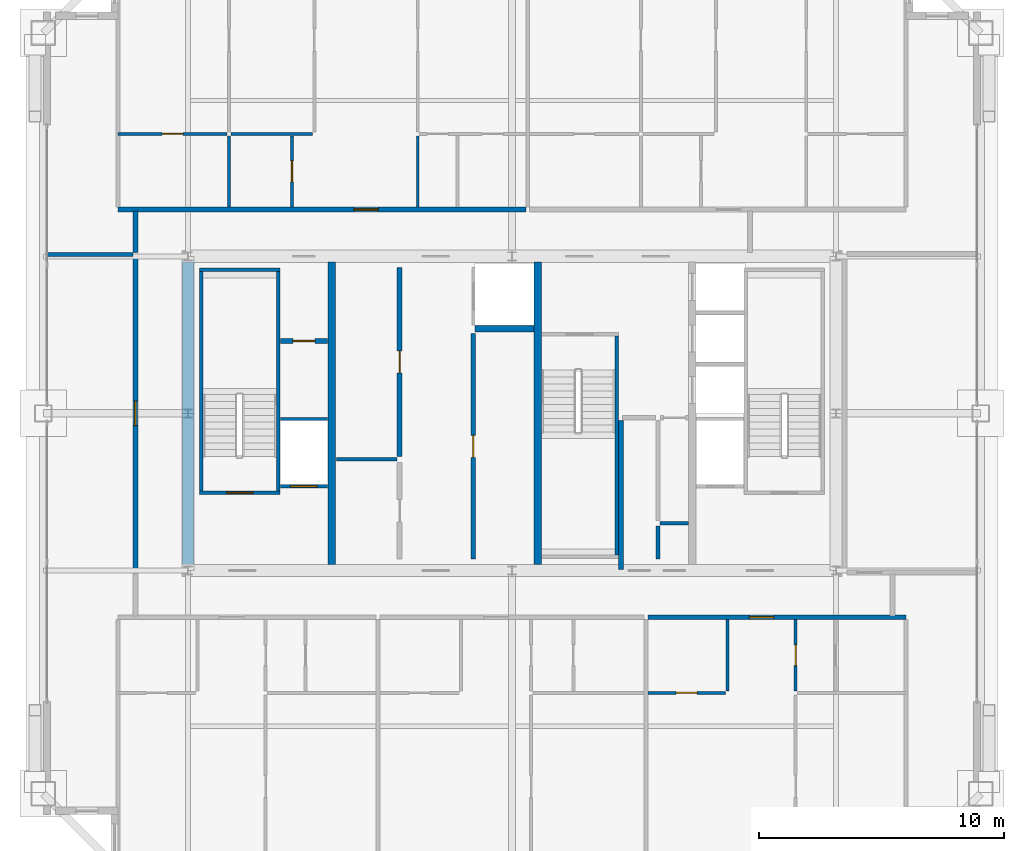
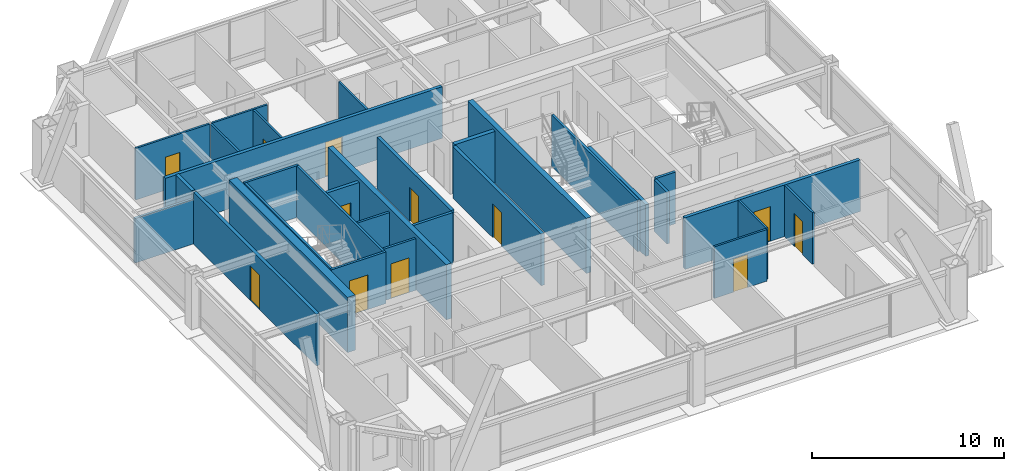
# One storey, part 31 of 35: 31 walls, 12 doors, 12 openings.
"""IFC4 building model written with IfcOpenShell, lengths in metres."""

import ifcopenshell
import ifcopenshell.guid

model = None  # the IFC model being written
_history = None  # IfcOwnerHistory: only IFC2X3 demands one
_inside = {}  # id of a spatial element -> (the spatial element, [elements in it])
_under = {}  # id of a project, library or spatial element -> (it, [spatial elements below it])
_declared = {}  # id of a project -> (the project, [libraries it declares])
_typed = {}  # id of a type object -> (the type object, [elements of that type])
_made_of = {}  # id of a material, layer set ... -> (it, [elements and type objects made of it])


def new_model(schema):
    """Start an empty IFC model of exactly this schema.

    Asked for "IFC4X3", IfcOpenShell would pick the latest addendum, in which some entities
    have other attributes; the version numbers below select the first issue.
    IFC2X3 requires an IfcOwnerHistory on every rooted entity: one is made here for all.
    """
    global model, _history
    if schema == "IFC4X3":
        model = ifcopenshell.file(schema_version=(4, 3, 0, 0))
    else:
        model = ifcopenshell.file(schema=schema)
    _inside.clear()
    _under.clear()
    _declared.clear()
    _typed.clear()
    _made_of.clear()
    _history = None
    if model.schema == "IFC2X3":
        org = make("IfcOrganization", Name="unknown")
        user = make(
            "IfcPersonAndOrganization",
            ThePerson=make("IfcPerson", FamilyName="unknown"),
            TheOrganization=org,
        )
        app = make(
            "IfcApplication",
            ApplicationDeveloper=org,
            Version="unknown",
            ApplicationFullName="unknown",
            ApplicationIdentifier="unknown",
        )
        _history = make(
            "IfcOwnerHistory",
            OwningUser=user,
            OwningApplication=app,
            ChangeAction="ADDED",
            CreationDate=0,
        )
    return model


def make(cls, **values):
    """One entity of the class cls with the attributes given. An attribute that is None is left unset."""
    return model.create_entity(
        cls, **{name: value for name, value in values.items() if value is not None}
    )


def rooted(cls, **values):
    """An entity with a GlobalId (a new one), such as an element, a storey or a relation."""
    return make(cls, GlobalId=ifcopenshell.guid.new(), OwnerHistory=_history, **values)


def si_unit(unit_type, name, prefix=None):
    """IfcSIUnit, for example si_unit("LENGTHUNIT", "METRE", prefix="MILLI")."""
    return make("IfcSIUnit", UnitType=unit_type, Prefix=prefix, Name=name)


def assignment(units):
    """IfcUnitAssignment: the units of a project."""
    return None if units is None else make("IfcUnitAssignment", Units=units)


def point(xyz):
    """IfcCartesianPoint."""
    return None if xyz is None else make("IfcCartesianPoint", Coordinates=xyz)


def direction(xyz):
    """IfcDirection."""
    return None if xyz is None else make("IfcDirection", DirectionRatios=xyz)


def frame(location, z_axis=None, x_axis=None):
    """IfcAxis2Placement3D, a coordinate frame: its origin and axes. An axis left out is left unset."""
    return make(
        "IfcAxis2Placement3D",
        Location=point(location),
        Axis=direction(z_axis),
        RefDirection=direction(x_axis),
    )


def frame_2d(location, x_axis=None):
    """IfcAxis2Placement2D, a coordinate frame in the plane: its origin and x axis."""
    return make(
        "IfcAxis2Placement2D", Location=point(location), RefDirection=direction(x_axis)
    )


def origin():
    """The frame at (0, 0, 0) with its axes left unset."""
    return frame((0.0, 0.0, 0.0))


def place(relative_to, where):
    """IfcLocalPlacement: puts the frame where relative to a parent placement (None: the world)."""
    return make(
        "IfcLocalPlacement", PlacementRelTo=relative_to, RelativePlacement=where
    )


def context(
    kind, dimensions, precision=None, world=None, true_north=None, identifier=None
):
    """IfcGeometricRepresentationContext, for example the 3D "Model" context."""
    return make(
        "IfcGeometricRepresentationContext",
        ContextIdentifier=identifier,
        ContextType=kind,
        CoordinateSpaceDimension=dimensions,
        Precision=precision,
        WorldCoordinateSystem=world,
        TrueNorth=true_north,
    )


def subcontext(parent, identifier, kind, view, scale=None):
    """IfcGeometricRepresentationSubContext, for example "Body" below "Model"."""
    return make(
        "IfcGeometricRepresentationSubContext",
        ContextIdentifier=identifier,
        ContextType=kind,
        ParentContext=parent,
        TargetScale=scale,
        TargetView=view,
    )


def project(units=None, contexts=None):
    """IfcProject with its units and contexts."""
    return rooted(
        "IfcProject",
        Name="project",
        RepresentationContexts=contexts,
        UnitsInContext=assignment(units),
    )


def spatial(cls, under=None, at=None, **own):
    """A site, building, storey or space (cls), placed at a placement, below another one or the project."""
    s = rooted(cls, ObjectPlacement=at, **own)
    if under is not None:
        _under.setdefault(under.id(), (under, []))[1].append(s)
    return s


def profile(cls, at=None, kind="AREA", **sizes):
    """A parametric profile (cls). Its sizes go by their IFC names, for example OverallWidth=200.0."""
    return make(cls, ProfileType=kind, Position=at, **sizes)


def rectangle(**sizes):
    """IfcRectangleProfileDef."""
    return profile("IfcRectangleProfileDef", **sizes)


def extrude(swept, where, along, depth):
    """IfcExtrudedAreaSolid: the profile swept, set in the frame where, extruded along a direction by depth."""
    return make(
        "IfcExtrudedAreaSolid",
        SweptArea=swept,
        Position=where,
        ExtrudedDirection=direction(along),
        Depth=depth,
    )


def shape(context_of_items, identifier, shape_type, items):
    """IfcShapeRepresentation: the items that make up one representation, for example the "Body"."""
    return make(
        "IfcShapeRepresentation",
        ContextOfItems=context_of_items,
        RepresentationIdentifier=identifier,
        RepresentationType=shape_type,
        Items=items,
    )


def source(mapping_origin, context_of_items, identifier, shape_type, items):
    """IfcRepresentationMap: a shape defined once, which mapped items show again and again."""
    return make(
        "IfcRepresentationMap",
        MappingOrigin=mapping_origin,
        MappedRepresentation=shape(context_of_items, identifier, shape_type, items),
    )


def transform(
    local_origin,
    x_axis=None,
    y_axis=None,
    z_axis=None,
    scale=None,
    scale2=None,
    scale3=None,
    uniform=True,
):
    """IfcCartesianTransformationOperator3D, or its non-uniform kind. x_axis, y_axis, z_axis: its Axis1, 2, 3."""
    if uniform:
        return make(
            "IfcCartesianTransformationOperator3D",
            Axis1=direction(x_axis),
            Axis2=direction(y_axis),
            LocalOrigin=point(local_origin),
            Scale=scale,
            Axis3=direction(z_axis),
        )
    return make(
        "IfcCartesianTransformationOperator3DnonUniform",
        Axis1=direction(x_axis),
        Axis2=direction(y_axis),
        LocalOrigin=point(local_origin),
        Scale=scale,
        Axis3=direction(z_axis),
        Scale2=scale2,
        Scale3=scale3,
    )


def mapped(mapping_source, mapping_target):
    """IfcMappedItem: shows the shape of a source again, moved by a transform."""
    return make(
        "IfcMappedItem", MappingSource=mapping_source, MappingTarget=mapping_target
    )


def material(Name=None, Category=None):
    """IfcMaterial."""
    return make("IfcMaterial", Name=Name, Category=Category)


def layer(
    of_material, thickness, ventilated=None, Name=None, Category=None, Priority=None
):
    """IfcMaterialLayer: one layer of a wall or slab, of a material (None: an air gap)."""
    return make(
        "IfcMaterialLayer",
        Material=of_material,
        LayerThickness=thickness,
        IsVentilated=ventilated,
        Name=Name,
        Category=Category,
        Priority=Priority,
    )


def layer_set(layers, Name=None):
    """IfcMaterialLayerSet."""
    return make("IfcMaterialLayerSet", MaterialLayers=layers, LayerSetName=Name)


def made_of(thing, what):
    """Note that an element or type object is made of a material, layer set ...; save() writes the relation."""
    if what is not None:
        _made_of.setdefault(what.id(), (what, []))[1].append(thing)
    return thing


def type_object(cls, material=None, **own):
    """A type object (cls), such as IfcWallType, which elements share."""
    return made_of(rooted(cls, **own), material)


def element(
    cls,
    number,
    at=None,
    inside=None,
    cuts=None,
    type_object=None,
    material=None,
    context=None,
    identifier="Body",
    shape_type=None,
    held_by="IfcProductDefinitionShape",
    body=None,
    shapes=None,
    **own,
):
    """One element of the class cls, such as IfcWall. Its Tag is "e" and its number.

    at: its placement. inside: the storey or other place that contains it. cuts: it is an
    opening in that element (IfcRelVoidsElement). A single representation is given by context,
    identifier, shape_type and body (its items); several are given by shapes. held_by: the class
    of the entity that holds the representations. save() writes the other relations.
    """
    e = rooted(cls, Tag="e%d" % number, ObjectPlacement=at, **own)
    if body is not None:
        shapes = [shape(context, identifier, shape_type, body)]
    if shapes is not None:
        e.Representation = make(held_by, Representations=shapes)
    if inside is not None:
        _inside.setdefault(inside.id(), (inside, []))[1].append(e)
    if cuts is not None:
        rooted(
            "IfcRelVoidsElement", RelatingBuildingElement=cuts, RelatedOpeningElement=e
        )
    if type_object is not None:
        _typed.setdefault(type_object.id(), (type_object, []))[1].append(e)
    return made_of(e, material)


def fill(opening, filler):
    """IfcRelFillsElement: the door or window that sits in an opening."""
    return rooted(
        "IfcRelFillsElement",
        RelatingOpeningElement=opening,
        RelatedBuildingElement=filler,
    )


def aggregate(whole, parts):
    """IfcRelAggregates: a whole, such as a stair, and the parts it consists of."""
    return rooted("IfcRelAggregates", RelatingObject=whole, RelatedObjects=parts)


def save(model, path):
    """Write the relations noted so far, then the file.

    IfcRelAggregates (storeys below a building ...), IfcRelContainedInSpatialStructure (elements
    in a storey), IfcRelDefinesByType, IfcRelAssociatesMaterial and IfcRelDeclares: one each for
    every whole, place, type object, material and project.
    """
    for whole, parts in _under.values():
        aggregate(whole, parts)
    for where, things in _inside.values():
        rooted(
            "IfcRelContainedInSpatialStructure",
            RelatedElements=things,
            RelatingStructure=where,
        )
    for kind, things in _typed.values():
        rooted("IfcRelDefinesByType", RelatedObjects=things, RelatingType=kind)
    for what, things in _made_of.values():
        rooted("IfcRelAssociatesMaterial", RelatedObjects=things, RelatingMaterial=what)
    for by, libraries in _declared.values():
        rooted("IfcRelDeclares", RelatingContext=by, RelatedDefinitions=libraries)
    model.write(path)


model = new_model("IFC4")

# Units and contexts
model_context = context("Model", 3, precision=1e-05, world=origin(), true_north=direction((0.0, 1.0)))
body_context = subcontext(model_context, "Body", "Model", "MODEL_VIEW")
ifc_project = project(units=[si_unit("LENGTHUNIT", "METRE"), si_unit("AREAUNIT", "SQUARE_METRE"), si_unit("VOLUMEUNIT", "CUBIC_METRE"), si_unit("PLANEANGLEUNIT", "RADIAN"), si_unit("MASSUNIT", "GRAM", prefix="KILO"), si_unit("THERMODYNAMICTEMPERATUREUNIT", "KELVIN"), si_unit("POWERUNIT", "WATT")], contexts=[model_context])

# Site, building, storey
site_placement = place(None, origin())
site = spatial("IfcSite", under=ifc_project, at=site_placement, CompositionType="ELEMENT")
building_placement = place(site_placement, origin())
building = spatial("IfcBuilding", under=site, at=building_placement, Name="Yuzanri Waterfront Tower", CompositionType="ELEMENT")
storey_placement = place(building_placement, frame((0.0, 0.0, 285.60009765625)))
storey = spatial("IfcBuildingStorey", under=building, at=storey_placement, Name="L76", CompositionType="ELEMENT", Elevation=285.60009765625)

# Wall, opening, door
ifc_material_1 = material(Name="Moisture-Resistant Gypsum Stud Wall", Category="gypsum")
ifc_layer_1 = layer(ifc_material_1, 0.1201171875)
ifc_layer_set_1 = layer_set([ifc_layer_1], Name="Moisture-Resistant Gypsum Stud Wall")
wall_type_1 = type_object("IfcWallType", Name="Bathroom and Kitchen Wet Partition 120", PredefinedType="PARTITIONING", material=ifc_layer_set_1)
wall_1_placement = place(storey_placement, frame((42.5400390625, 14.409912109375, 0.0), z_axis=(0.0, 0.0, 1.0), x_axis=(1.0, 0.0, 0.0)))
wall_1 = element("IfcWall", 1, at=wall_1_placement, inside=storey, type_object=wall_type_1, Name="L76 Partition UW-L76-HS3-SUB-1-S", PredefinedType="PARTITIONING", context=body_context, shape_type="SweptSolid", body=[
    extrude(rectangle(XDim=3.156005859375, YDim=0.1201171875, at=frame_2d((1.578125, 0.0))), origin(), (0.0, 0.0, 1.0), 3.27978515625),
])
opening_1_placement = place(wall_1_placement, frame((1.153076171875, 0.0, 0.0)))
opening_1 = element("IfcOpeningElement", 2, at=opening_1_placement, cuts=wall_1, Name="Opening ID-0850", PredefinedType="OPENING", context=body_context, shape_type="SweptSolid", body=[
    extrude(rectangle(XDim=0.85009765625, YDim=2.10009765625, at=frame_2d((0.425048828125, 1.050048828125))), frame((0.0, 0.074951171875, 0.0), z_axis=(0.0, -1.0, 0.0), x_axis=(1.0, 0.0, 0.0)), (0.0, 0.0, 1.0), 0.14990234375),
])
ifc_material_2 = material(Name="Moisture-Resistant Lacquered Timber", Category="wood")
door_type_1 = type_object("IfcDoorType", Name="En-Suite Bathroom and Kitchen Swing Door 850x2100", OperationType="NOTDEFINED", PredefinedType="DOOR", material=ifc_material_2)
shared_shape_1 = source(origin(), body_context, "Body", "SweptSolid", [
    extrude(rectangle(XDim=0.85009765625, YDim=2.10009765625, at=frame_2d((0.425048828125, 1.050048828125))), frame((0.0, 0.02490234375, 0.0), z_axis=(0.0, -1.0, 0.0), x_axis=(1.0, 0.0, 0.0)), (0.0, 0.0, 1.0), 0.050048828125),
])
door_1_placement = place(opening_1_placement, origin())
door_1 = element("IfcDoor", 3, at=door_1_placement, inside=storey, type_object=door_type_1, Name="L76 Suite Interior Room Door", OperationType="SINGLE_SWING_LEFT", OverallHeight=2.10009765625, OverallWidth=0.85009765625, PredefinedType="DOOR", context=body_context, shape_type="MappedRepresentation", body=[
    mapped(shared_shape_1, transform((0.0, 0.0, 0.0), scale=1.0)),
])
fill(opening_1, door_1)

wall_2_placement = place(storey_placement, frame((48.56201171875, 14.489990234375, 0.0), z_axis=(0.0, 0.0, 1.0), x_axis=(0.0, 1.0, 0.0)))
wall_2 = element("IfcWall", 4, at=wall_2_placement, inside=storey, type_object=wall_type_1, Name="L76 Partition UW-L76-HS3-SUB-4-W", PredefinedType="PARTITIONING", context=body_context, shape_type="SweptSolid", body=[
    extrude(rectangle(XDim=2.89990234375, YDim=0.1201171875, at=frame_2d((1.449951171875, 0.0))), origin(), (0.0, 0.0, 1.0), 3.27978515625),
])
opening_2_placement = place(wall_2_placement, frame((1.02490234375, 0.0, 0.0)))
opening_2 = element("IfcOpeningElement", 5, at=opening_2_placement, cuts=wall_2, Name="Opening ID-0850", PredefinedType="OPENING", context=body_context, shape_type="SweptSolid", body=[
    extrude(rectangle(XDim=0.85009765625, YDim=2.10009765625, at=frame_2d((0.425048828125, 1.050048828125))), frame((0.0, 0.074951171875, 0.0), z_axis=(0.0, -1.0, 0.0), x_axis=(1.0, 0.0, 0.0)), (0.0, 0.0, 1.0), 0.14990234375),
])
door_2_placement = place(opening_2_placement, origin())
door_2 = element("IfcDoor", 6, at=door_2_placement, inside=storey, type_object=door_type_1, Name="L76 Suite Interior Room Door", OperationType="SINGLE_SWING_RIGHT", OverallHeight=2.10009765625, OverallWidth=0.85009765625, PredefinedType="DOOR", context=body_context, shape_type="MappedRepresentation", body=[
    mapped(shared_shape_1, transform((0.0, 0.0, 0.0), scale=1.0)),
])
fill(opening_2, door_2)

wall_3_placement = place(storey_placement, frame((20.93994140625, 37.18994140625, 0.0), z_axis=(0.0, 0.0, 1.0), x_axis=(1.0, 0.0, 0.0)))
wall_3 = element("IfcWall", 7, at=wall_3_placement, inside=storey, type_object=wall_type_1, Name="L76 Partition UW-L76-HN1-SUB-1-N", PredefinedType="PARTITIONING", context=body_context, shape_type="SweptSolid", body=[
    extrude(rectangle(XDim=4.449951171875, YDim=0.1201171875, at=frame_2d((2.22509765625, 0.0))), origin(), (0.0, 0.0, 1.0), 3.27978515625),
])
opening_3_placement = place(wall_3_placement, frame((1.800048828125, 0.0, 0.0)))
opening_3 = element("IfcOpeningElement", 8, at=opening_3_placement, cuts=wall_3, Name="Opening ID-0850", PredefinedType="OPENING", context=body_context, shape_type="SweptSolid", body=[
    extrude(rectangle(XDim=0.85009765625, YDim=2.10009765625, at=frame_2d((0.425048828125, 1.050048828125))), frame((0.0, 0.074951171875, 0.0), z_axis=(0.0, -1.0, 0.0), x_axis=(1.0, 0.0, 0.0)), (0.0, 0.0, 1.0), 0.14990234375),
])
door_3_placement = place(opening_3_placement, origin())
door_3 = element("IfcDoor", 9, at=door_3_placement, inside=storey, type_object=door_type_1, Name="L76 Suite Interior Room Door", OperationType="SINGLE_SWING_RIGHT", OverallHeight=2.10009765625, OverallWidth=0.85009765625, PredefinedType="DOOR", context=body_context, shape_type="MappedRepresentation", body=[
    mapped(shared_shape_1, transform((0.0, 0.0, 0.0), scale=1.0)),
])
fill(opening_3, door_3)

wall_4_placement = place(storey_placement, frame((28.030029296875, 34.2099609375, 0.0), z_axis=(0.0, 0.0, 1.0), x_axis=(0.0, 1.0, 0.0)))
wall_4 = element("IfcWall", 10, at=wall_4_placement, inside=storey, type_object=wall_type_1, Name="L76 Partition UW-L76-HN1-SUB-2-E", PredefinedType="PARTITIONING", context=body_context, shape_type="SweptSolid", body=[
    extrude(rectangle(XDim=2.900146484375, YDim=0.1201171875, at=frame_2d((1.4501953125, 0.0))), origin(), (0.0, 0.0, 1.0), 3.27978515625),
])
opening_4_placement = place(wall_4_placement, frame((1.02490234375, 0.0, 0.0)))
opening_4 = element("IfcOpeningElement", 11, at=opening_4_placement, cuts=wall_4, Name="Opening ID-0850", PredefinedType="OPENING", context=body_context, shape_type="SweptSolid", body=[
    extrude(rectangle(XDim=0.85009765625, YDim=2.10009765625, at=frame_2d((0.425048828125, 1.050048828125))), frame((0.0, 0.074951171875, 0.0), z_axis=(0.0, -1.0, 0.0), x_axis=(1.0, 0.0, 0.0)), (0.0, 0.0, 1.0), 0.14990234375),
])
door_4_placement = place(opening_4_placement, origin())
door_4 = element("IfcDoor", 12, at=door_4_placement, inside=storey, type_object=door_type_1, Name="L76 Suite Interior Room Door", OperationType="SINGLE_SWING_LEFT", OverallHeight=2.10009765625, OverallWidth=0.85009765625, PredefinedType="DOOR", context=body_context, shape_type="MappedRepresentation", body=[
    mapped(shared_shape_1, transform((0.0, 0.0, 0.0), scale=1.0)),
])
fill(opening_4, door_4)

ifc_material_3 = material(Name="Concrete C40", Category="concrete")
ifc_layer_2 = layer(ifc_material_3, 0.139892578125)
ifc_layer_set_2 = layer_set([ifc_layer_2], Name="Concrete C40")
wall_type_2 = type_object("IfcWallType", Name="Core Stair Liner and Hoistway Shaft Wall 140", PredefinedType="SOLIDWALL", material=ifc_layer_set_2)
wall_5_placement = place(storey_placement, frame((27.56005859375, 22.830078125, 0.0), z_axis=(0.0, 0.0, 1.0), x_axis=(1.0, 0.0, 0.0)))
wall_5 = element("IfcWall", 13, at=wall_5_placement, inside=storey, type_object=wall_type_2, Name="L76 Lift FL-01 Front Shaft Wall", PredefinedType="SOLIDWALL", context=body_context, shape_type="SweptSolid", body=[
    extrude(rectangle(XDim=1.919921875, YDim=0.139892578125, at=frame_2d((0.9599609375, 0.0))), origin(), (0.0, 0.0, 1.0), 3.27978515625),
])
opening_5_placement = place(wall_5_placement, frame((0.409912109375, 0.0, 0.0)))
opening_5 = element("IfcOpeningElement", 14, at=opening_5_placement, cuts=wall_5, Name="Opening LD-FL-01", PredefinedType="OPENING", context=body_context, shape_type="SweptSolid", body=[
    extrude(rectangle(XDim=1.10009765625, YDim=2.199951171875, at=frame_2d((0.550048828125, 1.10009765625))), frame((0.0, 0.0849609375, 0.0), z_axis=(0.0, -1.0, 0.0), x_axis=(1.0, 0.0, 0.0)), (0.0, 0.0, 1.0), 0.169677734375),
])
ifc_material_4 = material(Name="Brushed Bronze and Stainless Steel Cab", Category="steel")
door_type_2 = type_object("IfcDoorType", Name="Center-Parting Bronze Lift Landing Sliding Door 1100x2200", OperationType="NOTDEFINED", PredefinedType="DOOR", material=ifc_material_4)
shared_shape_2 = source(origin(), body_context, "Body", "SweptSolid", [
    extrude(rectangle(XDim=1.10009765625, YDim=2.199951171875, at=frame_2d((0.550048828125, 1.10009765625))), frame((0.0, 0.02490234375, 0.0), z_axis=(0.0, -1.0, 0.0), x_axis=(1.0, 0.0, 0.0)), (0.0, 0.0, 1.0), 0.050048828125),
])
door_5_placement = place(opening_5_placement, origin())
door_5 = element("IfcDoor", 15, at=door_5_placement, inside=storey, type_object=door_type_2, Name="L76 FL-01 Lift Landing Sliding Door", OperationType="SLIDING_TO_LEFT", OverallHeight=2.199951171875, OverallWidth=1.10009765625, PredefinedType="DOOR", context=body_context, shape_type="MappedRepresentation", body=[
    mapped(shared_shape_2, transform((0.0, 0.0, 0.0), scale=1.0)),
])
fill(opening_5, door_5)

wall_6_placement = place(storey_placement, frame((24.260009765625, 22.570068359375, 0.0), z_axis=(0.0, 0.0, 1.0), x_axis=(1.0, 0.0, 0.0)))
wall_6 = element("IfcWall", 16, at=wall_6_placement, inside=storey, type_object=wall_type_2, Name="L76 Shaft Wall STW-L76-ST-01-S", PredefinedType="SOLIDWALL", context=body_context, shape_type="SweptSolid", body=[
    extrude(rectangle(XDim=3.280029296875, YDim=0.139892578125, at=frame_2d((1.64013671875, 0.0))), origin(), (0.0, 0.0, 1.0), 3.27978515625),
])
opening_6_placement = place(wall_6_placement, frame((1.090087890625, 0.0, 0.0)))
opening_6 = element("IfcOpeningElement", 17, at=opening_6_placement, cuts=wall_6, Name="Opening FD-1100", PredefinedType="OPENING", context=body_context, shape_type="SweptSolid", body=[
    extrude(rectangle(XDim=1.10009765625, YDim=2.199951171875, at=frame_2d((0.550048828125, 1.10009765625))), frame((0.0, 0.0849609375, 0.0), z_axis=(0.0, -1.0, 0.0), x_axis=(1.0, 0.0, 0.0)), (0.0, 0.0, 1.0), 0.169677734375),
])
ifc_material_5 = material(Name="Painted Galvanized Fire Steel", Category="steel")
door_type_3 = type_object("IfcDoorType", Name="Smoke-Proof Stair and Lobby Fire Door 1100x2200", OperationType="NOTDEFINED", PredefinedType="DOOR", material=ifc_material_5)
shared_shape_3 = source(origin(), body_context, "Body", "SweptSolid", [
    extrude(rectangle(XDim=1.10009765625, YDim=2.199951171875, at=frame_2d((0.550048828125, 1.10009765625))), frame((0.0, 0.02490234375, 0.0), z_axis=(0.0, -1.0, 0.0), x_axis=(1.0, 0.0, 0.0)), (0.0, 0.0, 1.0), 0.050048828125),
])
door_6_placement = place(opening_6_placement, origin())
door_6 = element("IfcDoor", 18, at=door_6_placement, inside=storey, type_object=door_type_3, Name="L76 Stair ST-01 Fire Door", OperationType="SINGLE_SWING_LEFT", OverallHeight=2.199951171875, OverallWidth=1.10009765625, PredefinedType="DOOR", context=body_context, shape_type="MappedRepresentation", body=[
    mapped(shared_shape_3, transform((0.0, 0.0, 0.0), scale=1.0)),
])
fill(opening_6, door_6)

ifc_material_6 = material(Name="Autoclaved Aerated Concrete Blockwork", Category="masonry")
ifc_layer_3 = layer(ifc_material_6, 0.199951171875)
ifc_layer_set_3 = layer_set([ifc_layer_3], Name="Autoclaved Aerated Concrete Blockwork")
wall_type_3 = type_object("IfcWallType", Name="Corridor and Unit Party Fire Wall 200", PredefinedType="PARTITIONING", material=ifc_layer_set_3)
wall_7_placement = place(storey_placement, frame((27.56005859375, 28.75, 0.0), z_axis=(0.0, 0.0, 1.0), x_axis=(1.0, 0.0, 0.0)))
wall_7 = element("IfcWall", 19, at=wall_7_placement, inside=storey, type_object=wall_type_3, Name="L76 Partition CRW-L76-ERTR", PredefinedType="PARTITIONING", context=body_context, shape_type="SweptSolid", body=[
    extrude(rectangle(XDim=1.919921875, YDim=0.199951171875, at=frame_2d((0.9599609375, 0.0))), origin(), (0.0, 0.0, 1.0), 3.27978515625),
])
opening_7_placement = place(wall_7_placement, frame((0.510009765625, 0.0, 0.0)))
opening_7 = element("IfcOpeningElement", 20, at=opening_7_placement, cuts=wall_7, Name="Opening FD-0900", PredefinedType="OPENING", context=body_context, shape_type="SweptSolid", body=[
    extrude(rectangle(XDim=0.89990234375, YDim=2.14990234375, at=frame_2d((0.449951171875, 1.074951171875))), frame((0.0, 0.11474609375, 0.0), z_axis=(0.0, -1.0, 0.0), x_axis=(1.0, 0.0, 0.0)), (0.0, 0.0, 1.0), 0.229736328125),
])
ifc_material_7 = material(Name="Painted Galvanized Fire Steel", Category="steel")
door_type_4 = type_object("IfcDoorType", Name="Riser and Service Room Fire Door 900x2150", OperationType="NOTDEFINED", PredefinedType="DOOR", material=ifc_material_7)
shared_shape_4 = source(origin(), body_context, "Body", "SweptSolid", [
    extrude(rectangle(XDim=0.89990234375, YDim=2.14990234375, at=frame_2d((0.449951171875, 1.074951171875))), frame((0.0, 0.02490234375, 0.0), z_axis=(0.0, -1.0, 0.0), x_axis=(1.0, 0.0, 0.0)), (0.0, 0.0, 1.0), 0.050048828125),
])
door_7_placement = place(opening_7_placement, origin())
door_7 = element("IfcDoor", 21, at=door_7_placement, inside=storey, type_object=door_type_4, Name="L76 Electrical Riser Door", OperationType="SINGLE_SWING_LEFT", OverallHeight=2.14990234375, OverallWidth=0.89990234375, PredefinedType="DOOR", context=body_context, shape_type="MappedRepresentation", body=[
    mapped(shared_shape_4, transform((0.0, 0.0, 0.0), scale=1.0)),
])
fill(opening_7, door_7)

wall_8_placement = place(storey_placement, frame((32.419921875, 24.050048828125, 0.0), z_axis=(0.0, 0.0, 1.0), x_axis=(0.0, 1.0, 0.0)))
wall_8 = element("IfcWall", 22, at=wall_8_placement, inside=storey, type_object=wall_type_3, Name="L76 Partition CRW-L76-B1R-2", PredefinedType="PARTITIONING", context=body_context, shape_type="SweptSolid", body=[
    extrude(rectangle(XDim=7.68994140625, YDim=0.199951171875, at=frame_2d((3.844970703125, 0.0))), origin(), (0.0, 0.0, 1.0), 3.27978515625),
])
opening_8_placement = place(wall_8_placement, frame((3.39501953125, 0.0, 0.0)))
opening_8 = element("IfcOpeningElement", 23, at=opening_8_placement, cuts=wall_8, Name="Opening FD-0900", PredefinedType="OPENING", context=body_context, shape_type="SweptSolid", body=[
    extrude(rectangle(XDim=0.89990234375, YDim=2.14990234375, at=frame_2d((0.449951171875, 1.074951171875))), frame((0.0, 0.11474609375, 0.0), z_axis=(0.0, -1.0, 0.0), x_axis=(1.0, 0.0, 0.0)), (0.0, 0.0, 1.0), 0.229736328125),
])
door_8_placement = place(opening_8_placement, origin())
door_8 = element("IfcDoor", 24, at=door_8_placement, inside=storey, type_object=door_type_4, Name="L76 Common Store Room", OperationType="SINGLE_SWING_LEFT", OverallHeight=2.14990234375, OverallWidth=0.89990234375, PredefinedType="DOOR", context=body_context, shape_type="MappedRepresentation", body=[
    mapped(shared_shape_4, transform((0.0, 0.0, 0.0), scale=1.0)),
])
fill(opening_8, door_8)

wall_9_placement = place(storey_placement, frame((35.419921875, 19.860107421875, 0.0), z_axis=(0.0, 0.0, 1.0), x_axis=(0.0, 1.0, 0.0)))
wall_9 = element("IfcWall", 25, at=wall_9_placement, inside=storey, type_object=wall_type_3, Name="L76 Partition CRW-L76-B2R-1", PredefinedType="PARTITIONING", context=body_context, shape_type="SweptSolid", body=[
    extrude(rectangle(XDim=9.18994140625, YDim=0.199951171875, at=frame_2d((4.594970703125, 0.0))), origin(), (0.0, 0.0, 1.0), 3.27978515625),
])
opening_9_placement = place(wall_9_placement, frame((4.14501953125, 0.0, 0.0)))
opening_9 = element("IfcOpeningElement", 26, at=opening_9_placement, cuts=wall_9, Name="Opening FD-0900", PredefinedType="OPENING", context=body_context, shape_type="SweptSolid", body=[
    extrude(rectangle(XDim=0.89990234375, YDim=2.14990234375, at=frame_2d((0.449951171875, 1.074951171875))), frame((0.0, 0.11474609375, 0.0), z_axis=(0.0, -1.0, 0.0), x_axis=(1.0, 0.0, 0.0)), (0.0, 0.0, 1.0), 0.229736328125),
])
door_9_placement = place(opening_9_placement, origin())
door_9 = element("IfcDoor", 27, at=door_9_placement, inside=storey, type_object=door_type_4, Name="L76 Upper General Store Room", OperationType="SINGLE_SWING_RIGHT", OverallHeight=2.14990234375, OverallWidth=0.89990234375, PredefinedType="DOOR", context=body_context, shape_type="MappedRepresentation", body=[
    mapped(shared_shape_4, transform((0.0, 0.0, 0.0), scale=1.0)),
])
fill(opening_9, door_9)

wall_10_placement = place(storey_placement, frame((42.5400390625, 17.489990234375, 0.0), z_axis=(0.0, 0.0, 1.0), x_axis=(1.0, 0.0, 0.0)))
wall_10 = element("IfcWall", 28, at=wall_10_placement, inside=storey, type_object=wall_type_3, Name="L76 Partition UW-L76-HS3-CN", PredefinedType="PARTITIONING", context=body_context, shape_type="SweptSolid", body=[
    extrude(rectangle(XDim=10.52001953125, YDim=0.199951171875, at=frame_2d((5.260009765625, 0.0))), origin(), (0.0, 0.0, 1.0), 3.27978515625),
])
opening_10_placement = place(wall_10_placement, frame((4.12890625, 0.0, 0.0)))
opening_10 = element("IfcOpeningElement", 29, at=opening_10_placement, cuts=wall_10, Name="Opening FD-1000", PredefinedType="OPENING", context=body_context, shape_type="SweptSolid", body=[
    extrude(rectangle(XDim=1.0, YDim=2.199951171875, at=frame_2d((0.5, 1.10009765625))), frame((0.0, 0.11474609375, 0.0), z_axis=(0.0, -1.0, 0.0), x_axis=(1.0, 0.0, 0.0)), (0.0, 0.0, 1.0), 0.229736328125),
])
ifc_material_8 = material(Name="Engineered Oak Fire-Rated Timber", Category="wood")
door_type_5 = type_object("IfcDoorType", Name="Guestroom and Apartment Entrance Fire Door 1000x2200", OperationType="NOTDEFINED", PredefinedType="DOOR", material=ifc_material_8)
shared_shape_5 = source(origin(), body_context, "Body", "SweptSolid", [
    extrude(rectangle(XDim=1.0, YDim=2.199951171875, at=frame_2d((0.5, 1.10009765625))), frame((0.0, 0.02490234375, 0.0), z_axis=(0.0, -1.0, 0.0), x_axis=(1.0, 0.0, 0.0)), (0.0, 0.0, 1.0), 0.050048828125),
])
door_10_placement = place(opening_10_placement, origin())
door_10 = element("IfcDoor", 30, at=door_10_placement, inside=storey, type_object=door_type_5, Name="L76 Apartment Living Room Entrance Door", OperationType="SINGLE_SWING_RIGHT", OverallHeight=2.199951171875, OverallWidth=1.0, PredefinedType="DOOR", context=body_context, shape_type="MappedRepresentation", body=[
    mapped(shared_shape_5, transform((0.0, 0.0, 0.0), scale=1.0)),
])
fill(opening_10, door_10)

wall_11_placement = place(storey_placement, frame((20.93994140625, 34.110107421875, 0.0), z_axis=(0.0, 0.0, 1.0), x_axis=(1.0, 0.0, 0.0)))
wall_11 = element("IfcWall", 31, at=wall_11_placement, inside=storey, type_object=wall_type_3, Name="L76 Partition UW-L76-HN1-CS", PredefinedType="PARTITIONING", context=body_context, shape_type="SweptSolid", body=[
    extrude(rectangle(XDim=16.6220703125, YDim=0.199951171875, at=frame_2d((8.31103515625, 0.0))), origin(), (0.0, 0.0, 1.0), 3.27978515625),
])
opening_11_placement = place(wall_11_placement, frame((9.611083984375, 0.0, 0.0)))
opening_11 = element("IfcOpeningElement", 32, at=opening_11_placement, cuts=wall_11, Name="Opening FD-1000", PredefinedType="OPENING", context=body_context, shape_type="SweptSolid", body=[
    extrude(rectangle(XDim=1.0, YDim=2.199951171875, at=frame_2d((0.5, 1.10009765625))), frame((0.0, 0.11474609375, 0.0), z_axis=(0.0, -1.0, 0.0), x_axis=(1.0, 0.0, 0.0)), (0.0, 0.0, 1.0), 0.229736328125),
])
door_11_placement = place(opening_11_placement, origin())
door_11 = element("IfcDoor", 33, at=door_11_placement, inside=storey, type_object=door_type_5, Name="L76 Apartment Living and Dining Salon Entrance Door", OperationType="SINGLE_SWING_LEFT", OverallHeight=2.199951171875, OverallWidth=1.0, PredefinedType="DOOR", context=body_context, shape_type="MappedRepresentation", body=[
    mapped(shared_shape_5, transform((0.0, 0.0, 0.0), scale=1.0)),
])
fill(opening_11, door_11)

wall_12_placement = place(storey_placement, frame((21.64990234375, 19.409912109375, 0.0), z_axis=(0.0, 0.0, 1.0), x_axis=(0.0, 1.0, 0.0)))
wall_12 = element("IfcWall", 34, at=wall_12_placement, inside=storey, type_object=wall_type_3, Name="L76 Partition UW-L76-050-CW", PredefinedType="PARTITIONING", context=body_context, shape_type="SweptSolid", body=[
    extrude(rectangle(XDim=12.780029296875, YDim=0.199951171875, at=frame_2d((6.39013671875, 0.0))), origin(), (0.0, 0.0, 1.0), 3.27978515625),
])
opening_12_placement = place(wall_12_placement, frame((5.889892578125, 0.0, 0.0)))
opening_12 = element("IfcOpeningElement", 35, at=opening_12_placement, cuts=wall_12, Name="Opening FD-1000", PredefinedType="OPENING", context=body_context, shape_type="SweptSolid", body=[
    extrude(rectangle(XDim=1.0, YDim=2.199951171875, at=frame_2d((0.5, 1.10009765625))), frame((0.0, 0.11474609375, 0.0), z_axis=(0.0, -1.0, 0.0), x_axis=(1.0, 0.0, 0.0)), (0.0, 0.0, 1.0), 0.229736328125),
])
door_12_placement = place(opening_12_placement, origin())
door_12 = element("IfcDoor", 36, at=door_12_placement, inside=storey, type_object=door_type_5, Name="L76 High-Rise W Boardroom Meeting Room Entrance Door", OperationType="SINGLE_SWING_RIGHT", OverallHeight=2.199951171875, OverallWidth=1.0, PredefinedType="DOOR", context=body_context, shape_type="MappedRepresentation", body=[
    mapped(shared_shape_5, transform((0.0, 0.0, 0.0), scale=1.0)),
])
fill(opening_12, door_12)

# Walls
ifc_material_9 = material(Name="Concrete C45", Category="concrete")
ifc_layer_4 = layer(ifc_material_9, 0.47998046875)
ifc_layer_set_4 = layer_set([ifc_layer_4], Name="Concrete C45")
wall_type_4 = type_object("IfcWallType", Name="Concrete C45 High-Rise Core Shear Wall 480", PredefinedType="SHEAR", material=ifc_layer_set_4)
shared_shape_6 = source(origin(), body_context, "Body", "SweptSolid", [
    extrude(rectangle(XDim=12.320068359375, YDim=0.47998046875, at=frame_2d((6.16015625, 0.0))), origin(), (0.0, 0.0, 1.0), 3.5),
])
wall_13_placement = place(storey_placement, frame((23.800048828125, 19.639892578125, 0.0), z_axis=(0.0, 0.0, 1.0), x_axis=(0.0, 1.0, 0.0)))
element("IfcWall", 37, at=wall_13_placement, inside=storey, type_object=wall_type_4, Name="L76 Core West Shear Wall", PredefinedType="SHEAR", context=body_context, shape_type="MappedRepresentation", body=[
    mapped(shared_shape_6, transform((0.0, 0.0, 0.0), scale=1.0)),
])
ifc_material_10 = material(Name="Concrete C50", Category="concrete")
ifc_layer_5 = layer(ifc_material_10, 0.300048828125)
ifc_layer_set_5 = layer_set([ifc_layer_5], Name="Concrete C50")
wall_type_5 = type_object("IfcWallType", Name="Concrete C50 Internal Core Shaft Structural Wall 300", PredefinedType="SOLIDWALL", material=ifc_layer_set_5)
shared_shape_7 = source(origin(), body_context, "Body", "SweptSolid", [
    extrude(rectangle(XDim=12.320068359375, YDim=0.300048828125, at=frame_2d((6.16015625, 0.0))), origin(), (0.0, 0.0, 1.0), 3.5),
])
for number, where, z_axis, x_axis, name in (
    (38, (29.64990234375, 19.639892578125, 0.0), (0.0, 0.0, 1.0), (0.0, 1.0, 0.0), "L76 Core Internal Structural Web Wall 1"),
    (39, (38.050048828125, 19.639892578125, 0.0), (0.0, 0.0, 1.0), (0.0, 1.0, 0.0), "L76 Core Internal Structural Web Wall 2"),
):
    element("IfcWall", number, at=place(storey_placement, frame(where, z_axis=z_axis, x_axis=x_axis)), inside=storey, type_object=wall_type_5, Name=name, PredefinedType="SOLIDWALL", context=body_context, shape_type="MappedRepresentation", body=[
        mapped(shared_shape_7, transform((0.0, 0.0, 0.0), scale=1.0)),
    ])
shared_shape_8 = source(origin(), body_context, "Body", "SweptSolid", [
    extrude(rectangle(XDim=1.919921875, YDim=0.139892578125, at=frame_2d((0.9599609375, 0.0))), origin(), (0.0, 0.0, 1.0), 3.27978515625),
])
wall_14_placement = place(storey_placement, frame((27.56005859375, 25.570068359375, 0.0), z_axis=(0.0, 0.0, 1.0), x_axis=(1.0, 0.0, 0.0)))
element("IfcWall", 40, at=wall_14_placement, inside=storey, type_object=wall_type_2, Name="L76 Lift FL-01 Back Shaft Wall", PredefinedType="SOLIDWALL", context=body_context, shape_type="MappedRepresentation", body=[
    mapped(shared_shape_8, transform((0.0, 0.0, 0.0), scale=1.0)),
])
ifc_material_11 = material(Name="Concrete C40", Category="concrete")
ifc_layer_6 = layer(ifc_material_11, 0.25)
ifc_layer_set_6 = layer_set([ifc_layer_6], Name="Concrete C40")
wall_type_6 = type_object("IfcWallType", Name="Smoke-Proof Stair and Lift Shaft Wall 250", PredefinedType="SOLIDWALL", material=ifc_layer_set_6)
shared_shape_9 = source(origin(), body_context, "Body", "SweptSolid", [
    extrude(rectangle(XDim=2.39990234375, YDim=0.25, at=frame_2d((1.199951171875, 0.0))), origin(), (0.0, 0.0, 1.0), 3.27978515625),
])
wall_15_placement = place(storey_placement, frame((35.5, 29.25, 0.0), z_axis=(0.0, 0.0, 1.0), x_axis=(1.0, 0.0, 0.0)))
element("IfcWall", 41, at=wall_15_placement, inside=storey, type_object=wall_type_6, Name="L76 Lift SL-02 South Shaft Wall", PredefinedType="SOLIDWALL", context=body_context, shape_type="MappedRepresentation", body=[
    mapped(shared_shape_9, transform((0.0, 0.0, 0.0), scale=1.0)),
])
shared_shape_10 = source(origin(), body_context, "Body", "SweptSolid", [
    extrude(rectangle(XDim=3.280029296875, YDim=0.139892578125, at=frame_2d((1.64013671875, 0.0))), origin(), (0.0, 0.0, 1.0), 3.27978515625),
])
wall_16_placement = place(storey_placement, frame((24.260009765625, 31.64990234375, 0.0), z_axis=(0.0, 0.0, 1.0), x_axis=(1.0, 0.0, 0.0)))
element("IfcWall", 42, at=wall_16_placement, inside=storey, type_object=wall_type_2, Name="L76 Stair ST-01 North Shaft Wall", PredefinedType="SOLIDWALL", context=body_context, shape_type="MappedRepresentation", body=[
    mapped(shared_shape_10, transform((0.0, 0.0, 0.0), scale=1.0)),
])
shared_shape_11 = source(origin(), body_context, "Body", "SweptSolid", [
    extrude(rectangle(XDim=8.940185546875, YDim=0.139892578125, at=frame_2d((4.47021484375, 0.0))), origin(), (0.0, 0.0, 1.0), 3.27978515625),
])
for number, where, z_axis, x_axis, name in (
    (43, (24.330078125, 22.639892578125, 0.0), (0.0, 0.0, 1.0), (0.0, 1.0, 0.0), "L76 Stair ST-01 West Shaft Wall"),
    (44, (27.469970703125, 22.639892578125, 0.0), (0.0, 0.0, 1.0), (0.0, 1.0, 0.0), "L76 Stair ST-01 East Shaft Wall"),
):
    element("IfcWall", number, at=place(storey_placement, frame(where, z_axis=z_axis, x_axis=x_axis)), inside=storey, type_object=wall_type_2, Name=name, PredefinedType="SOLIDWALL", context=body_context, shape_type="MappedRepresentation", body=[
        mapped(shared_shape_11, transform((0.0, 0.0, 0.0), scale=1.0)),
    ])
shared_shape_12 = source(origin(), body_context, "Body", "SweptSolid", [
    extrude(rectangle(XDim=8.93994140625, YDim=0.139892578125, at=frame_2d((4.469970703125, 0.0))), origin(), (0.0, 0.0, 1.0), 3.27978515625),
])
wall_17_placement = place(storey_placement, frame((41.27001953125, 20.02001953125, 0.0), z_axis=(0.0, 0.0, 1.0), x_axis=(0.0, 1.0, 0.0)))
element("IfcWall", 45, at=wall_17_placement, inside=storey, type_object=wall_type_2, Name="L76 Stair ST-03 East Shaft Wall", PredefinedType="SOLIDWALL", context=body_context, shape_type="MappedRepresentation", body=[
    mapped(shared_shape_12, transform((0.0, 0.0, 0.0), scale=1.0)),
])
ifc_material_12 = material(Name="Gypsum Fireboard Acoustic Stud Wall", Category="gypsum")
ifc_layer_7 = layer(ifc_material_12, 0.159912109375)
ifc_layer_set_7 = layer_set([ifc_layer_7], Name="Gypsum Fireboard Acoustic Stud Wall")
wall_type_7 = type_object("IfcWallType", Name="Acoustic Suite Demising Partition 160", PredefinedType="PARTITIONING", material=ifc_layer_set_7)
shared_shape_13 = source(origin(), body_context, "Body", "SweptSolid", [
    extrude(rectangle(XDim=2.469970703125, YDim=0.159912109375, at=frame_2d((1.23486328125, 0.0))), origin(), (0.0, 0.0, 1.0), 3.27978515625),
])
wall_18_placement = place(storey_placement, frame((29.85009765625, 23.929931640625, 0.0), z_axis=(0.0, 0.0, 1.0), x_axis=(1.0, 0.0, 0.0)))
element("IfcWall", 46, at=wall_18_placement, inside=storey, type_object=wall_type_7, Name="L76 Reclaimed Core Divider 2", PredefinedType="PARTITIONING", context=body_context, shape_type="MappedRepresentation", body=[
    mapped(shared_shape_13, transform((0.0, 0.0, 0.0), scale=1.0)),
])
shared_shape_14 = source(origin(), body_context, "Body", "SweptSolid", [
    extrude(rectangle(XDim=1.33984375, YDim=0.159912109375, at=frame_2d((0.669921875, 0.0))), origin(), (0.0, 0.0, 1.0), 3.27978515625),
])
wall_19_placement = place(storey_placement, frame((42.949951171875, 19.860107421875, 0.0), z_axis=(0.0, 0.0, 1.0), x_axis=(0.0, 1.0, 0.0)))
element("IfcWall", 47, at=wall_19_placement, inside=storey, type_object=wall_type_7, Name="L76 East Wet Riser West Wall", PredefinedType="PARTITIONING", context=body_context, shape_type="MappedRepresentation", body=[
    mapped(shared_shape_14, transform((0.0, 0.0, 0.0), scale=1.0)),
])
shared_shape_15 = source(origin(), body_context, "Body", "SweptSolid", [
    extrude(rectangle(XDim=1.169921875, YDim=0.159912109375, at=frame_2d((0.5849609375, 0.0))), origin(), (0.0, 0.0, 1.0), 3.27978515625),
])
wall_20_placement = place(storey_placement, frame((43.030029296875, 21.320068359375, 0.0), z_axis=(0.0, 0.0, 1.0), x_axis=(1.0, 0.0, 0.0)))
element("IfcWall", 48, at=wall_20_placement, inside=storey, type_object=wall_type_7, Name="L76 East Wet Riser North Wall", PredefinedType="PARTITIONING", context=body_context, shape_type="MappedRepresentation", body=[
    mapped(shared_shape_15, transform((0.0, 0.0, 0.0), scale=1.0)),
])
shared_shape_16 = source(origin(), body_context, "Body", "SweptSolid", [
    extrude(rectangle(XDim=6.06005859375, YDim=0.199951171875, at=frame_2d((3.030029296875, 0.0))), origin(), (0.0, 0.0, 1.0), 3.27978515625),
])
wall_21_placement = place(storey_placement, frame((41.449951171875, 19.43994140625, 0.0), z_axis=(0.0, 0.0, 1.0), x_axis=(0.0, 1.0, 0.0)))
element("IfcWall", 49, at=wall_21_placement, inside=storey, type_object=wall_type_3, Name="L76 Core BOH West Wall 1", PredefinedType="PARTITIONING", context=body_context, shape_type="MappedRepresentation", body=[
    mapped(shared_shape_16, transform((0.0, 0.0, 0.0), scale=1.0)),
])
shared_shape_17 = source(origin(), body_context, "Body", "SweptSolid", [
    extrude(rectangle(XDim=1.699951171875, YDim=0.199951171875, at=frame_2d((0.85009765625, 0.0))), origin(), (0.0, 0.0, 1.0), 3.27978515625),
])
wall_22_placement = place(storey_placement, frame((21.64990234375, 32.35009765625, 0.0), z_axis=(0.0, 0.0, 1.0), x_axis=(0.0, 1.0, 0.0)))
element("IfcWall", 50, at=wall_22_placement, inside=storey, type_object=wall_type_3, Name="L76 North Foyer West End Wall", PredefinedType="PARTITIONING", context=body_context, shape_type="MappedRepresentation", body=[
    mapped(shared_shape_17, transform((0.0, 0.0, 0.0), scale=1.0)),
])
shared_shape_18 = source(origin(), body_context, "Body", "SweptSolid", [
    extrude(rectangle(XDim=2.89990234375, YDim=0.1201171875, at=frame_2d((1.449951171875, 0.0))), origin(), (0.0, 0.0, 1.0), 3.27978515625),
])
wall_23_placement = place(storey_placement, frame((45.77587890625, 14.489990234375, 0.0), z_axis=(0.0, 0.0, 1.0), x_axis=(0.0, 1.0, 0.0)))
element("IfcWall", 51, at=wall_23_placement, inside=storey, type_object=wall_type_1, Name="L76 Partition UW-L76-HS3-SUB-1-E", PredefinedType="PARTITIONING", context=body_context, shape_type="MappedRepresentation", body=[
    mapped(shared_shape_18, transform((0.0, 0.0, 0.0), scale=1.0)),
])
shared_shape_19 = source(origin(), body_context, "Body", "SweptSolid", [
    extrude(rectangle(XDim=2.900146484375, YDim=0.1201171875, at=frame_2d((1.4501953125, 0.0))), origin(), (0.0, 0.0, 1.0), 3.27978515625),
])
for number, where, z_axis, x_axis, name in (
    (52, (25.469970703125, 34.2099609375, 0.0), (0.0, 0.0, 1.0), (0.0, 1.0, 0.0), "L76 Partition UW-L76-HN1-SUB-1-E"),
    (53, (33.159912109375, 34.2099609375, 0.0), (0.0, 0.0, 1.0), (0.0, 1.0, 0.0), "L76 Partition UW-L76-HN1-SUB-4-W"),
):
    element("IfcWall", number, at=place(storey_placement, frame(where, z_axis=z_axis, x_axis=x_axis)), inside=storey, type_object=wall_type_1, Name=name, PredefinedType="PARTITIONING", context=body_context, shape_type="MappedRepresentation", body=[
        mapped(shared_shape_19, transform((0.0, 0.0, 0.0), scale=1.0)),
    ])
shared_shape_20 = source(origin(), body_context, "Body", "SweptSolid", [
    extrude(rectangle(XDim=3.31298828125, YDim=0.1201171875, at=frame_2d((1.656494140625, 0.0))), origin(), (0.0, 0.0, 1.0), 3.27978515625),
])
wall_24_placement = place(storey_placement, frame((25.550048828125, 37.18994140625, 0.0), z_axis=(0.0, 0.0, 1.0), x_axis=(1.0, 0.0, 0.0)))
element("IfcWall", 54, at=wall_24_placement, inside=storey, type_object=wall_type_1, Name="L76 Partition UW-L76-HN1-SUB-7-S", PredefinedType="PARTITIONING", context=body_context, shape_type="MappedRepresentation", body=[
    mapped(shared_shape_20, transform((0.0, 0.0, 0.0), scale=1.0)),
])
shared_shape_21 = source(origin(), body_context, "Body", "SweptSolid", [
    extrude(rectangle(XDim=3.5, YDim=0.159912109375, at=frame_2d((1.75, 0.0))), origin(), (0.0, 0.0, 1.0), 2.824951171875),
])
wall_25_placement = place(storey_placement, frame((18.050048828125, 32.27001953125, 0.0), z_axis=(0.0, 0.0, 1.0), x_axis=(1.0, 0.0, 0.0)))
element("IfcWall", 55, at=wall_25_placement, inside=storey, type_object=wall_type_7, Name="L76-050 Wing North End Wall", PredefinedType="PARTITIONING", context=body_context, shape_type="MappedRepresentation", body=[
    mapped(shared_shape_21, transform((0.0, 0.0, 0.0), scale=1.0)),
])

save(model, "model.ifc")
